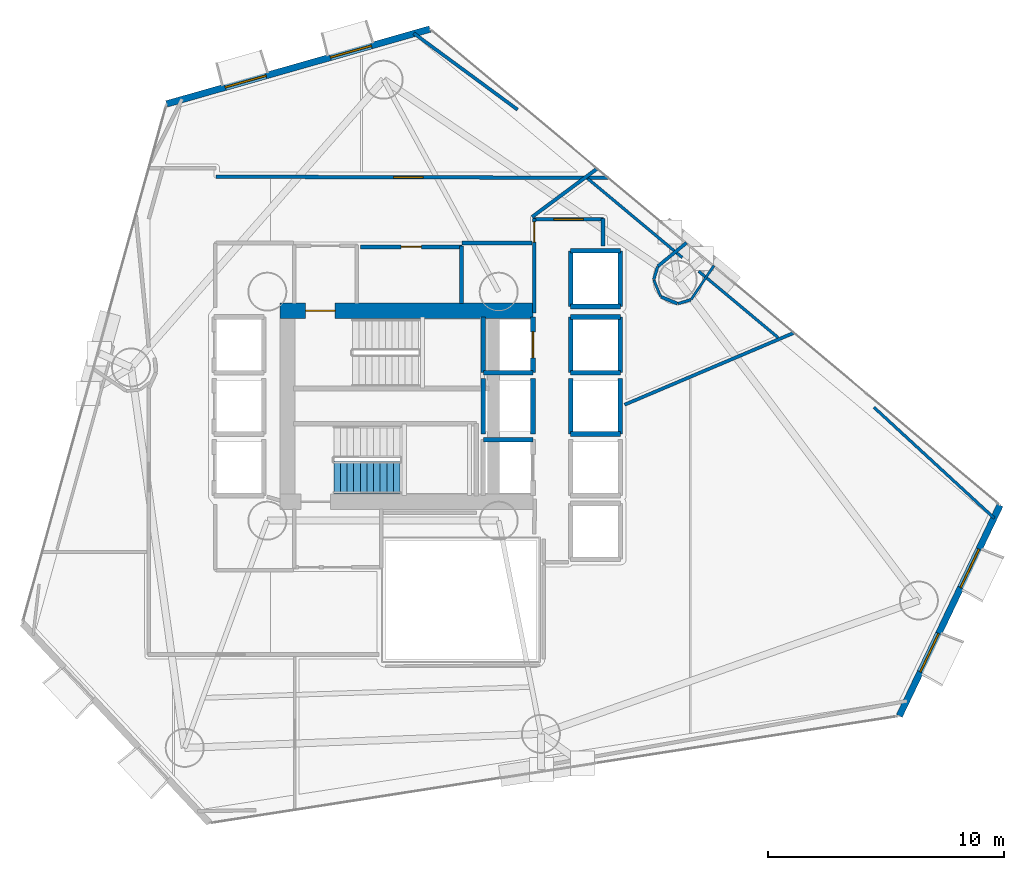
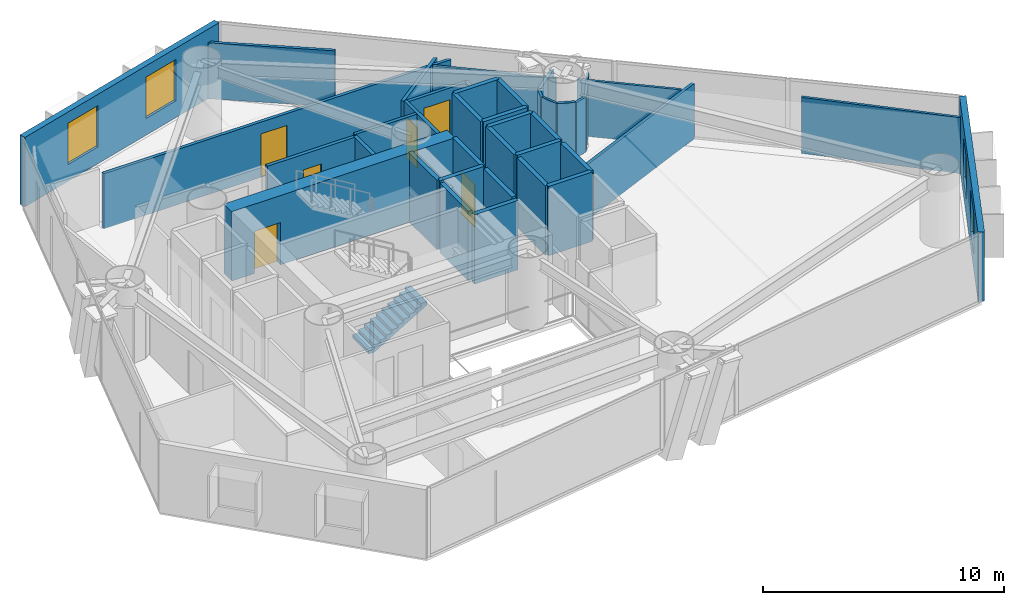
# One storey, part 18 of 23: 39 walls, 6 doors, 4 windows, 1 stair flight, 10 openings, 1 element without a shape of its own.
"""IFC4 building model written with IfcOpenShell, lengths in metres."""

from ifc_helpers import new_model, si_unit, direction, frame, frame_2d, origin, place, context, subcontext, project, spatial, polyline, rectangle, outline, extrude, material, layer, layer_set, type_object, element, fill, aggregate, save


model = new_model("IFC4")

# Units and contexts
model_context = context("Model", 3, precision=1e-05, world=origin(), true_north=direction((0.0, 1.0)))
body_context = subcontext(model_context, "Body", "Model", "MODEL_VIEW")
ifc_project = project(units=[si_unit("LENGTHUNIT", "METRE"), si_unit("AREAUNIT", "SQUARE_METRE"), si_unit("VOLUMEUNIT", "CUBIC_METRE"), si_unit("PLANEANGLEUNIT", "RADIAN"), si_unit("MASSUNIT", "GRAM", prefix="KILO")], contexts=[model_context])

# Site, building, storey
site_placement = place(None, origin())
site = spatial("IfcSite", under=ifc_project, at=site_placement, CompositionType="ELEMENT")
building_placement = place(site_placement, origin())
building = spatial("IfcBuilding", under=site, at=building_placement, Name="Qianvela Tower", CompositionType="ELEMENT")
storey_placement = place(building_placement, frame((0.0, 0.0, 78.39990234375)))
storey = spatial("IfcBuildingStorey", under=building, at=storey_placement, Name="L19", CompositionType="ELEMENT", Elevation=78.39990234375)

# Wall, openings, windows
ifc_material_1 = material(Name="Terracotta Cladding on Concrete C40", Category="masonry")
ifc_layer_1 = layer(ifc_material_1, 0.280029296875)
ifc_layer_set_1 = layer_set([ifc_layer_1], Name="Terracotta Cladding on Concrete C40")
wall_type_1 = type_object("IfcWallType", Name="TERRACOTTA-WALL-280", PredefinedType="SOLIDWALL", material=ifc_layer_set_1)
wall_1_placement = place(storey_placement, frame((55.369873046875, 15.578857421875, 0.0), z_axis=(0.0, 0.0, 1.0), x_axis=(0.431207438462, 0.902252816574, 0.0)))
wall_1 = element("IfcWall", 1, at=wall_1_placement, inside=storey, type_object=wall_type_1, Name="L19 Terracotta Chamfer Facet Wall 1", PredefinedType="SOLIDWALL", context=body_context, shape_type="SweptSolid", body=[
    extrude(rectangle(XDim=9.89111328125, YDim=0.280029296875, at=frame_2d((4.945556640625, 0.0))), origin(), (0.0, 0.0, 1.0), 3.52001953125),
])
opening_1_placement = place(wall_1_placement, frame((2.0673828125, 0.0, 0.85009765625)))
opening_1 = element("IfcOpeningElement", 2, at=opening_1_placement, cuts=wall_1, Name="Opening W-01", PredefinedType="OPENING", context=body_context, shape_type="SweptSolid", body=[
    extrude(rectangle(XDim=1.800048828125, YDim=2.10009765625, at=frame_2d((0.89990234375, 1.050048828125))), frame((0.0, 0.14990234375, 0.0), z_axis=(0.0, -1.0, 0.0), x_axis=(1.0, 0.0, 0.0)), (0.0, 0.0, 1.0), 0.300048828125),
])
opening_2_placement = place(wall_1_placement, frame((6.023681640625, 0.0, 0.85009765625)))
opening_2 = element("IfcOpeningElement", 3, at=opening_2_placement, cuts=wall_1, Name="Opening W-01", PredefinedType="OPENING", context=body_context, shape_type="SweptSolid", body=[
    extrude(rectangle(XDim=1.800048828125, YDim=2.10009765625, at=frame_2d((0.89990234375, 1.050048828125))), frame((0.0, 0.14990234375, 0.0), z_axis=(0.0, -1.0, 0.0), x_axis=(1.0, 0.0, 0.0)), (0.0, 0.0, 1.0), 0.300048828125),
])
ifc_material_2 = material(Name="Thermally Broken Aluminium and Low-E Glass", Category="aluminium")
window_type = type_object("IfcWindowType", Name="WIN-TC-1800x2100", PartitioningType="DOUBLE_PANEL_VERTICAL", PredefinedType="WINDOW", material=ifc_material_2)
window_1_placement = place(opening_1_placement, origin())
window_1 = element("IfcWindow", 4, at=window_1_placement, inside=storey, type_object=window_type, Name="L19 Chamfer Facet Window 1.1", OverallHeight=2.10009765625, OverallWidth=1.800048828125, PartitioningType="SINGLE_PANEL", PredefinedType="WINDOW", context=body_context, shape_type="SweptSolid", body=[
    extrude(rectangle(XDim=1.800048828125, YDim=2.10009765625, at=frame_2d((0.89990234375, 1.050048828125))), frame((0.0, 0.030029296875, 0.0), z_axis=(0.0, -1.0, 0.0), x_axis=(1.0, 0.0, 0.0)), (0.0, 0.0, 1.0), 0.06005859375),
])
fill(opening_1, window_1)
window_2_placement = place(opening_2_placement, origin())
window_2 = element("IfcWindow", 5, at=window_2_placement, inside=storey, type_object=window_type, Name="L19 Chamfer Facet Window 1.2", OverallHeight=2.10009765625, OverallWidth=1.800048828125, PartitioningType="SINGLE_PANEL", PredefinedType="WINDOW", context=body_context, shape_type="SweptSolid", body=[
    extrude(rectangle(XDim=1.800048828125, YDim=2.10009765625, at=frame_2d((0.89990234375, 1.050048828125))), frame((0.0, 0.030029296875, 0.0), z_axis=(0.0, -1.0, 0.0), x_axis=(1.0, 0.0, 0.0)), (0.0, 0.0, 1.0), 0.06005859375),
])
fill(opening_2, window_2)

wall_2_placement = place(storey_placement, frame((35.48828125, 44.673583984375, 0.0), z_axis=(0.0, 0.0, 1.0), x_axis=(-0.961902016128, -0.273394424538, 0.0)))
wall_2 = element("IfcWall", 6, at=wall_2_placement, inside=storey, type_object=wall_type_1, Name="L19 Terracotta Chamfer Facet Wall 3", PredefinedType="SOLIDWALL", context=body_context, shape_type="SweptSolid", body=[
    extrude(rectangle(XDim=11.595458984375, YDim=0.280029296875, at=frame_2d((5.7978515625, 0.0))), origin(), (0.0, 0.0, 1.0), 3.52001953125),
])
opening_3_placement = place(wall_2_placement, frame((2.57861328125, 0.0, 0.85009765625)))
opening_3 = element("IfcOpeningElement", 7, at=opening_3_placement, cuts=wall_2, Name="Opening W-01", PredefinedType="OPENING", context=body_context, shape_type="SweptSolid", body=[
    extrude(rectangle(XDim=1.800048828125, YDim=2.10009765625, at=frame_2d((0.89990234375, 1.050048828125))), frame((0.0, 0.14990234375, 0.0), z_axis=(0.0, -1.0, 0.0), x_axis=(1.0, 0.0, 0.0)), (0.0, 0.0, 1.0), 0.300048828125),
])
opening_4_placement = place(wall_2_placement, frame((7.216796875, 0.0, 0.85009765625)))
opening_4 = element("IfcOpeningElement", 8, at=opening_4_placement, cuts=wall_2, Name="Opening W-01", PredefinedType="OPENING", context=body_context, shape_type="SweptSolid", body=[
    extrude(rectangle(XDim=1.800048828125, YDim=2.10009765625, at=frame_2d((0.89990234375, 1.050048828125))), frame((0.0, 0.14990234375, 0.0), z_axis=(0.0, -1.0, 0.0), x_axis=(1.0, 0.0, 0.0)), (0.0, 0.0, 1.0), 0.300048828125),
])
window_3_placement = place(opening_3_placement, origin())
window_3 = element("IfcWindow", 9, at=window_3_placement, inside=storey, type_object=window_type, Name="L19 Chamfer Facet Window 3.1", OverallHeight=2.10009765625, OverallWidth=1.800048828125, PartitioningType="SINGLE_PANEL", PredefinedType="WINDOW", context=body_context, shape_type="SweptSolid", body=[
    extrude(rectangle(XDim=1.800048828125, YDim=2.10009765625, at=frame_2d((0.89990234375, 1.050048828125))), frame((0.0, 0.030029296875, 0.0), z_axis=(0.0, -1.0, 0.0), x_axis=(1.0, 0.0, 0.0)), (0.0, 0.0, 1.0), 0.06005859375),
])
fill(opening_3, window_3)
window_4_placement = place(opening_4_placement, origin())
window_4 = element("IfcWindow", 10, at=window_4_placement, inside=storey, type_object=window_type, Name="L19 Chamfer Facet Window 3.2", OverallHeight=2.10009765625, OverallWidth=1.800048828125, PartitioningType="SINGLE_PANEL", PredefinedType="WINDOW", context=body_context, shape_type="SweptSolid", body=[
    extrude(rectangle(XDim=1.800048828125, YDim=2.10009765625, at=frame_2d((0.89990234375, 1.050048828125))), frame((0.0, 0.030029296875, 0.0), z_axis=(0.0, -1.0, 0.0), x_axis=(1.0, 0.0, 0.0)), (0.0, 0.0, 1.0), 0.06005859375),
])
fill(opening_4, window_4)

# Wall, opening, door
ifc_material_3 = material(Name="Concrete C60", Category="concrete")
ifc_layer_2 = layer(ifc_material_3, 0.64990234375)
ifc_layer_set_2 = layer_set([ifc_layer_2], Name="Concrete C60")
wall_type_2 = type_object("IfcWallType", Name="WT-CORE-650", PredefinedType="SHEAR", material=ifc_layer_set_2)
wall_3_placement = place(storey_placement, frame((29.1298828125, 32.7451171875, 0.0), z_axis=(0.0, 0.0, 1.0), x_axis=(1.0, 0.0, 0.0)))
wall_3 = element("IfcWall", 11, at=wall_3_placement, inside=storey, type_object=wall_type_2, Name="L19 North Core Shear Wall", PredefinedType="SHEAR", context=body_context, shape_type="SweptSolid", body=[
    extrude(rectangle(XDim=10.72021484375, YDim=0.64990234375, at=frame_2d((5.360107421875, 0.0))), origin(), (0.0, 0.0, 1.0), 3.52001953125),
])
opening_5_placement = place(wall_3_placement, frame((1.094970703125, 0.0, 0.0)))
opening_5 = element("IfcOpeningElement", 12, at=opening_5_placement, cuts=wall_3, Name="Opening D-ST1", PredefinedType="OPENING", context=body_context, shape_type="SweptSolid", body=[
    extrude(rectangle(XDim=1.25, YDim=2.14990234375, at=frame_2d((0.625, 1.074951171875))), frame((0.0, 0.3349609375, 0.0), z_axis=(0.0, -1.0, 0.0), x_axis=(1.0, 0.0, 0.0)), (0.0, 0.0, 1.0), 0.669921875),
])
ifc_material_4 = material(Name="Galvanised Fire Steel Q355B", Category="steel")
door_type_1 = type_object("IfcDoorType", Name="DT-STAIR-FD90", OperationType="NOTDEFINED", PredefinedType="DOOR", material=ifc_material_4)
door_1_placement = place(opening_5_placement, origin())
door_1 = element("IfcDoor", 13, at=door_1_placement, inside=storey, type_object=door_type_1, Name="L19 Stair ST-1 Exit Door", OperationType="SINGLE_SWING_RIGHT", OverallHeight=2.14990234375, OverallWidth=1.25, PredefinedType="DOOR", context=body_context, shape_type="SweptSolid", body=[
    extrude(rectangle(XDim=1.25, YDim=2.14990234375, at=frame_2d((0.625, 1.074951171875))), frame((0.0, 0.02490234375, 0.0), z_axis=(0.0, -1.0, 0.0), x_axis=(1.0, 0.0, 0.0)), (0.0, 0.0, 1.0), 0.050048828125),
])
fill(opening_5, door_1)

ifc_material_5 = material(Name="Fire-Rated Acoustic Gypsum Board")
ifc_layer_3 = layer(ifc_material_5, 0.14990234375)
ifc_layer_set_3 = layer_set([ifc_layer_3], Name="Fire-Rated Acoustic Gypsum Board")
wall_type_3 = type_object("IfcWallType", Name="WT-CORR-150", PredefinedType="PARTITIONING", material=ifc_layer_set_3)
wall_4_placement = place(storey_placement, frame((39.910888671875, 32.639892578125, 0.0), z_axis=(0.0, 0.0, 1.0), x_axis=(0.0, 1.0, 0.0)))
wall_4 = element("IfcWall", 14, at=wall_4_placement, inside=storey, type_object=wall_type_3, Name="L19 Partition 10", PredefinedType="PARTITIONING", context=body_context, shape_type="SweptSolid", body=[
    extrude(rectangle(XDim=4.010009765625, YDim=0.14990234375, at=frame_2d((2.0048828125, 0.0))), origin(), (0.0, 0.0, 1.0), 2.840087890625),
])
opening_6_placement = place(wall_4_placement, frame((3.010009765625, 0.0, 0.0)))
opening_6 = element("IfcOpeningElement", 15, at=opening_6_placement, cuts=wall_4, Name="Opening D-LB2", PredefinedType="OPENING", context=body_context, shape_type="SweptSolid", body=[
    extrude(rectangle(XDim=0.860107421875, YDim=2.050048828125, at=frame_2d((0.43017578125, 1.02490234375))), frame((0.0, 0.0849609375, 0.0), z_axis=(0.0, -1.0, 0.0), x_axis=(1.0, 0.0, 0.0)), (0.0, 0.0, 1.0), 0.169921875),
])
ifc_material_6 = material(Name="Insulated Steel Fire Door Q355B", Category="steel")
door_type_2 = type_object("IfcDoorType", Name="DT-LOBBY-FD90-860", OperationType="NOTDEFINED", PredefinedType="DOOR", material=ifc_material_6)
door_2_placement = place(opening_6_placement, origin())
door_2 = element("IfcDoor", 16, at=door_2_placement, inside=storey, type_object=door_type_2, Name="L19 Door L19 Lift Lobby to L19 Floor Corridor", OperationType="SINGLE_SWING_LEFT", OverallHeight=2.050048828125, OverallWidth=0.860107421875, PredefinedType="DOOR", context=body_context, shape_type="SweptSolid", body=[
    extrude(rectangle(XDim=0.860107421875, YDim=2.050048828125, at=frame_2d((0.43017578125, 1.02490234375))), frame((0.0, 0.02490234375, 0.0), z_axis=(0.0, -1.0, 0.0), x_axis=(1.0, 0.0, 0.0)), (0.0, 0.0, 1.0), 0.050048828125),
])
fill(opening_6, door_2)

wall_5_placement = place(storey_placement, frame((39.8798828125, 36.618896484375, 0.0), z_axis=(0.0, 0.0, 1.0), x_axis=(1.0, 0.0, 0.0)))
wall_5 = element("IfcWall", 17, at=wall_5_placement, inside=storey, type_object=wall_type_3, Name="L19 Partition 11", PredefinedType="PARTITIONING", context=body_context, shape_type="SweptSolid", body=[
    extrude(rectangle(XDim=2.97021484375, YDim=0.14990234375, at=frame_2d((1.485107421875, 0.0))), origin(), (0.0, 0.0, 1.0), 2.798095703125),
])
opening_7_placement = place(wall_5_placement, frame((0.860107421875, 0.0, 0.0)))
opening_7 = element("IfcOpeningElement", 18, at=opening_7_placement, cuts=wall_5, Name="Opening D-LG1", PredefinedType="OPENING", context=body_context, shape_type="SweptSolid", body=[
    extrude(rectangle(XDim=1.25, YDim=2.199951171875, at=frame_2d((0.625, 1.10009765625))), frame((0.0, 0.0849609375, 0.0), z_axis=(0.0, -1.0, 0.0), x_axis=(1.0, 0.0, 0.0)), (0.0, 0.0, 1.0), 0.169921875),
])
ifc_material_7 = material(Name="Anodised Aluminium Acoustic Glass Door", Category="aluminium")
door_type_3 = type_object("IfcDoorType", Name="DT-LOUNGE-1250", OperationType="NOTDEFINED", PredefinedType="DOOR", material=ifc_material_7)
door_3_placement = place(opening_7_placement, origin())
door_3 = element("IfcDoor", 19, at=door_3_placement, inside=storey, type_object=door_type_3, Name="L19 Door Graduate Seminar Classroom L19-03 to L19 Lift Lobby", OperationType="SINGLE_SWING_RIGHT", OverallHeight=2.199951171875, OverallWidth=1.25, PredefinedType="DOOR", context=body_context, shape_type="SweptSolid", body=[
    extrude(rectangle(XDim=1.25, YDim=2.199951171875, at=frame_2d((0.625, 1.10009765625))), frame((0.0, 0.02490234375, 0.0), z_axis=(0.0, -1.0, 0.0), x_axis=(1.0, 0.0, 0.0)), (0.0, 0.0, 1.0), 0.050048828125),
])
fill(opening_7, door_3)

# Wall
wall_6_placement = place(storey_placement, frame((42.819091796875, 36.64990234375, 0.0), z_axis=(0.0, 0.0, 1.0), x_axis=(0.0, -1.0, 0.0)))
element("IfcWall", 20, at=wall_6_placement, inside=storey, type_object=wall_type_3, Name="L19 Partition 12", PredefinedType="PARTITIONING", context=body_context, shape_type="SweptSolid", body=[
    extrude(rectangle(XDim=1.169921875, YDim=0.14990234375, at=frame_2d((0.5849609375, 0.0))), origin(), (0.0, 0.0, 1.0), 2.798095703125),
])

# Wall, opening, door
wall_7_placement = place(storey_placement, frame((26.419921875, 38.4189453125, 0.0), z_axis=(0.0, 0.0, 1.0), x_axis=(0.999995903761, -0.002862247552, 0.0)))
wall_7 = element("IfcWall", 21, at=wall_7_placement, inside=storey, type_object=wall_type_3, Name="L19 Partition 38", PredefinedType="PARTITIONING", context=body_context, shape_type="SweptSolid", body=[
    extrude(rectangle(XDim=16.6328125, YDim=0.14990234375, at=frame_2d((8.31640625, 0.0))), origin(), (0.0, 0.0, 1.0), 2.798095703125),
])
opening_8_placement = place(wall_7_placement, frame((7.52783203125, 0.0, 0.0)))
opening_8 = element("IfcOpeningElement", 22, at=opening_8_placement, cuts=wall_7, Name="Opening D-LG1", PredefinedType="OPENING", context=body_context, shape_type="SweptSolid", body=[
    extrude(rectangle(XDim=1.25, YDim=2.199951171875, at=frame_2d((0.625, 1.10009765625))), frame((0.0, 0.0849609375, 0.0), z_axis=(0.0, -1.0, 0.0), x_axis=(1.0, 0.0, 0.0)), (0.0, 0.0, 1.0), 0.169921875),
])
door_4_placement = place(opening_8_placement, origin())
door_4 = element("IfcDoor", 23, at=door_4_placement, inside=storey, type_object=door_type_3, Name="L19 Door Maker Craft Workshop L19-05 to L19 Floor Corridor", OperationType="SINGLE_SWING_RIGHT", OverallHeight=2.199951171875, OverallWidth=1.25, PredefinedType="DOOR", context=body_context, shape_type="SweptSolid", body=[
    extrude(rectangle(XDim=1.25, YDim=2.199951171875, at=frame_2d((0.625, 1.10009765625))), frame((0.0, 0.02490234375, 0.0), z_axis=(0.0, -1.0, 0.0), x_axis=(1.0, 0.0, 0.0)), (0.0, 0.0, 1.0), 0.050048828125),
])
fill(opening_8, door_4)

# Walls
wall_8_placement = place(storey_placement, frame((42.583984375, 38.771484375, 0.0), z_axis=(0.0, 0.0, 1.0), x_axis=(-0.802818352311, -0.596223693921, 0.0)))
element("IfcWall", 24, at=wall_8_placement, inside=storey, type_object=wall_type_3, Name="L19 Partition 39", PredefinedType="PARTITIONING", context=body_context, shape_type="SweptSolid", body=[
    extrude(rectangle(XDim=3.45068359375, YDim=0.14990234375, at=frame_2d((1.725341796875, 0.0))), origin(), (0.0, 0.0, 1.0), 2.798095703125),
])
wall_9_placement = place(storey_placement, frame((39.818115234375, 35.611083984375, 0.0), z_axis=(0.0, 0.0, 1.0), x_axis=(-1.0, 0.0, 0.0)))
element("IfcWall", 25, at=wall_9_placement, inside=storey, type_object=wall_type_3, Name="L19 Partition 41 seg 1", PredefinedType="PARTITIONING", context=body_context, shape_type="SweptSolid", body=[
    extrude(rectangle(XDim=2.968017578125, YDim=0.14990234375, at=frame_2d((1.48388671875, 0.0))), origin(), (0.0, 0.0, 1.0), 2.840087890625),
])
ifc_material_8 = material(Name="Lightweight Gypsum Room Partition")
ifc_layer_4 = layer(ifc_material_8, 0.10498046875)
ifc_layer_set_4 = layer_set([ifc_layer_4], Name="Lightweight Gypsum Room Partition")
wall_type_4 = type_object("IfcWallType", Name="WT-PART-105", PredefinedType="PARTITIONING", material=ifc_layer_set_4)
wall_10_placement = place(storey_placement, frame((44.970458984375, 34.045166015625, 0.0), z_axis=(0.0, 0.0, 1.0), x_axis=(0.382475742879, -0.923965532966, 0.0)))
element("IfcWall", 26, at=wall_10_placement, inside=storey, type_object=wall_type_4, Name="L19 Partition 78", PredefinedType="PARTITIONING", context=body_context, shape_type="SweptSolid", body=[
    extrude(rectangle(XDim=0.75390625, YDim=0.10498046875, at=frame_2d((0.376953125, 0.0))), origin(), (0.0, 0.0, 1.0), 2.840087890625),
])
wall_11_placement = place(storey_placement, frame((46.556884765625, 33.220703125, 0.0), z_axis=(0.0, 0.0, 1.0), x_axis=(0.555549804561, 0.831483261799, 0.0)))
element("IfcWall", 27, at=wall_11_placement, inside=storey, type_object=wall_type_4, Name="L19 Partition 81", PredefinedType="PARTITIONING", context=body_context, shape_type="SweptSolid", body=[
    extrude(rectangle(XDim=1.7236328125, YDim=0.10498046875, at=frame_2d((0.86181640625, 0.0))), origin(), (0.0, 0.0, 1.0), 2.798095703125),
])
ifc_material_9 = material(Name="Insulated Gypsum Stud Partition")
ifc_layer_5 = layer(ifc_material_9, 0.1201171875)
ifc_layer_set_5 = layer_set([ifc_layer_5], Name="Insulated Gypsum Stud Partition")
wall_type_5 = type_object("IfcWallType", Name="WT-PART-120", PredefinedType="PARTITIONING", material=ifc_layer_set_5)
wall_12_placement = place(storey_placement, frame((54.296875, 28.6494140625, 0.0), z_axis=(0.0, 0.0, 1.0), x_axis=(0.735489202495, -0.677536444048, 0.0)))
element("IfcWall", 28, at=wall_12_placement, inside=storey, type_object=wall_type_5, Name="L19 Partition 65 seg 1", PredefinedType="PARTITIONING", context=body_context, shape_type="SweptSolid", body=[
    extrude(rectangle(XDim=6.929931640625, YDim=0.1201171875, at=frame_2d((3.46484375, 0.0))), origin(), (0.0, 0.0, 1.0), 2.840087890625),
])
wall_13_placement = place(storey_placement, frame((42.183837890625, 38.330078125, 0.0), z_axis=(0.0, 0.0, 1.0), x_axis=(0.767463569337, -0.641092559417, 0.0)))
element("IfcWall", 29, at=wall_13_placement, inside=storey, type_object=wall_type_5, Name="L19 Partition 74", PredefinedType="PARTITIONING", context=body_context, shape_type="SweptSolid", body=[
    extrude(rectangle(XDim=5.20654296875, YDim=0.1201171875, at=frame_2d((2.603271484375, 0.0))), origin(), (0.0, 0.0, 1.0), 2.798095703125),
])
for number, where, z_axis, x_axis, name in (
    (30, (45.13525390625, 34.61328125, 0.0), (0.0, 0.0, 1.0), (-0.290244314669, -0.956952578659, 0.0), "L19 Partition 77"),
    (31, (45.992919921875, 33.042236328125, 0.0), (0.0, 0.0, 1.0), (0.956952578659, 0.290244314669, 0.0), "L19 Partition 80"),
):
    element("IfcWall", number, at=place(storey_placement, frame(where, z_axis=z_axis, x_axis=x_axis)), inside=storey, type_object=wall_type_5, Name=name, PredefinedType="PARTITIONING", context=body_context, shape_type="SweptSolid", body=[
        extrude(rectangle(XDim=0.572021484375, YDim=0.1201171875, at=frame_2d((0.2861328125, 0.0))), origin(), (0.0, 0.0, 1.0), 2.798095703125),
    ])
wall_14_placement = place(storey_placement, frame((46.872314453125, 34.41357421875, 0.0), z_axis=(0.0, 0.0, 1.0), x_axis=(0.767480346399, -0.641072474757, 0.0)))
element("IfcWall", 32, at=wall_14_placement, inside=storey, type_object=wall_type_5, Name="L19 Partition 83", PredefinedType="PARTITIONING", context=body_context, shape_type="SweptSolid", body=[
    extrude(rectangle(XDim=4.37841796875, YDim=0.1201171875, at=frame_2d((2.189208984375, 0.0))), origin(), (0.0, 0.0, 1.0), 2.840087890625),
])

# Wall, opening, door
ifc_material_10 = material(Name="Sanitary Service Chase Partition")
ifc_layer_6 = layer(ifc_material_10, 0.1650390625)
ifc_layer_set_6 = layer_set([ifc_layer_6], Name="Sanitary Service Chase Partition")
wall_type_6 = type_object("IfcWallType", Name="WT-PLUMB-165", PredefinedType="PLUMBINGWALL", material=ifc_layer_set_6)
wall_15_placement = place(storey_placement, frame((32.550048828125, 35.448974609375, 0.0), z_axis=(0.0, 0.0, 1.0), x_axis=(1.0, 0.0, 0.0)))
wall_15 = element("IfcWall", 33, at=wall_15_placement, inside=storey, type_object=wall_type_6, Name="L19 Partition 20", PredefinedType="PLUMBINGWALL", context=body_context, shape_type="SweptSolid", body=[
    extrude(rectangle(XDim=4.300048828125, YDim=0.1650390625, at=frame_2d((2.14990234375, 0.0))), origin(), (0.0, 0.0, 1.0), 2.840087890625),
])
opening_9_placement = place(wall_15_placement, frame((1.719970703125, 0.0, 0.0)))
opening_9 = element("IfcOpeningElement", 34, at=opening_9_placement, cuts=wall_15, Name="Opening D-WC1", PredefinedType="OPENING", context=body_context, shape_type="SweptSolid", body=[
    extrude(rectangle(XDim=0.860107421875, YDim=2.050048828125, at=frame_2d((0.43017578125, 1.02490234375))), frame((0.0, 0.092529296875, 0.0), z_axis=(0.0, -1.0, 0.0), x_axis=(1.0, 0.0, 0.0)), (0.0, 0.0, 1.0), 0.18505859375),
])
ifc_material_11 = material(Name="Moisture-Sealed Acoustic Timber Door", Category="wood")
door_type_4 = type_object("IfcDoorType", Name="DT-WC-860", OperationType="NOTDEFINED", PredefinedType="DOOR", material=ifc_material_11)
door_5_placement = place(opening_9_placement, origin())
door_5 = element("IfcDoor", 35, at=door_5_placement, inside=storey, type_object=door_type_4, Name="L19 Door L19 Accessible WC to L19 Floor Corridor", OperationType="SINGLE_SWING_RIGHT", OverallHeight=2.050048828125, OverallWidth=0.860107421875, PredefinedType="DOOR", context=body_context, shape_type="SweptSolid", body=[
    extrude(rectangle(XDim=0.860107421875, YDim=2.050048828125, at=frame_2d((0.43017578125, 1.02490234375))), frame((0.0, 0.02490234375, 0.0), z_axis=(0.0, -1.0, 0.0), x_axis=(1.0, 0.0, 0.0)), (0.0, 0.0, 1.0), 0.050048828125),
])
fill(opening_9, door_5)

# Walls
wall_16_placement = place(storey_placement, frame((36.819091796875, 35.47998046875, 0.0), z_axis=(0.0, 0.0, 1.0), x_axis=(0.0, -1.0, 0.0)))
element("IfcWall", 36, at=wall_16_placement, inside=storey, type_object=wall_type_6, Name="L19 Partition 21", PredefinedType="PLUMBINGWALL", context=body_context, shape_type="SweptSolid", body=[
    extrude(rectangle(XDim=2.421875, YDim=0.1650390625, at=frame_2d((1.2109375, 0.0))), origin(), (0.0, 0.0, 1.0), 2.840087890625),
])
ifc_material_12 = material(Name="Acoustic Double Gypsum Stud Partition")
ifc_layer_7 = layer(ifc_material_12, 0.139892578125)
ifc_layer_set_7 = layer_set([ifc_layer_7], Name="Acoustic Double Gypsum Stud Partition")
wall_type_7 = type_object("IfcWallType", Name="WT-ROOM-140", PredefinedType="PARTITIONING", material=ifc_layer_set_7)
wall_17_placement = place(storey_placement, frame((43.732177734375, 28.76171875, 0.0), z_axis=(0.0, 0.0, 1.0), x_axis=(0.920505405919, 0.390729826958, 0.0)))
element("IfcWall", 37, at=wall_17_placement, inside=storey, type_object=wall_type_7, Name="L19 Partition 64", PredefinedType="PARTITIONING", context=body_context, shape_type="SweptSolid", body=[
    extrude(rectangle(XDim=7.802978515625, YDim=0.139892578125, at=frame_2d((3.9013671875, 0.0))), origin(), (0.0, 0.0, 1.0), 2.798095703125),
])
wall_18_placement = place(storey_placement, frame((46.355712890625, 35.621337890625, 0.0), z_axis=(0.0, 0.0, 1.0), x_axis=(-0.773081212675, -0.634307053885, 0.0)))
element("IfcWall", 38, at=wall_18_placement, inside=storey, type_object=wall_type_7, Name="L19 Partition 76", PredefinedType="PARTITIONING", context=body_context, shape_type="SweptSolid", body=[
    extrude(rectangle(XDim=1.565673828125, YDim=0.139892578125, at=frame_2d((0.78271484375, 0.0))), origin(), (0.0, 0.0, 1.0), 2.798095703125),
])
wall_19_placement = place(storey_placement, frame((45.275634765625, 33.331787109375, 0.0), z_axis=(0.0, 0.0, 1.0), x_axis=(0.923965532966, -0.382475742879, 0.0)))
element("IfcWall", 39, at=wall_19_placement, inside=storey, type_object=wall_type_7, Name="L19 Partition 79", PredefinedType="PARTITIONING", context=body_context, shape_type="SweptSolid", body=[
    extrude(rectangle(XDim=0.75390625, YDim=0.139892578125, at=frame_2d((0.376953125, 0.0))), origin(), (0.0, 0.0, 1.0), 2.840087890625),
])
wall_20_placement = place(storey_placement, frame((34.802490234375, 44.495849609375, 0.0), z_axis=(0.0, 0.0, 1.0), x_axis=(0.805455763376, -0.59265589784, 0.0)))
element("IfcWall", 40, at=wall_20_placement, inside=storey, type_object=wall_type_7, Name="L19 Partition 97 seg 1", PredefinedType="PARTITIONING", context=body_context, shape_type="SweptSolid", body=[
    extrude(rectangle(XDim=5.4599609375, YDim=0.139892578125, at=frame_2d((2.72998046875, 0.0))), origin(), (0.0, 0.0, 1.0), 2.840087890625),
])

# Wall, opening, door
ifc_material_13 = material(Name="Concrete C50", Category="concrete")
ifc_layer_8 = layer(ifc_material_13, 0.199951171875)
ifc_layer_set_8 = layer_set([ifc_layer_8], Name="Concrete C50")
wall_type_8 = type_object("IfcWallType", Name="WT-SHAFT-200", PredefinedType="SOLIDWALL", material=ifc_layer_set_8)
wall_21_placement = place(storey_placement, frame((39.85009765625, 30.1201171875, 0.0), z_axis=(0.0, 0.0, 1.0), x_axis=(0.0, 1.0, 0.0)))
wall_21 = element("IfcWall", 41, at=wall_21_placement, inside=storey, type_object=wall_type_8, Name="L19 Lift FL-1 E Shaft Wall", PredefinedType="SOLIDWALL", context=body_context, shape_type="SweptSolid", body=[
    extrude(rectangle(XDim=2.35986328125, YDim=0.199951171875, at=frame_2d((1.179931640625, 0.0))), origin(), (0.0, 0.0, 1.0), 3.52001953125),
])
opening_10_placement = place(wall_21_placement, frame((0.6298828125, 0.0, 0.0)))
opening_10 = element("IfcOpeningElement", 42, at=opening_10_placement, cuts=wall_21, Name="Opening LD-01", PredefinedType="OPENING", context=body_context, shape_type="SweptSolid", body=[
    extrude(rectangle(XDim=1.10009765625, YDim=2.14990234375, at=frame_2d((0.550048828125, 1.074951171875))), frame((0.0, 0.10986328125, 0.0), z_axis=(0.0, -1.0, 0.0), x_axis=(1.0, 0.0, 0.0)), (0.0, 0.0, 1.0), 0.219970703125),
])
ifc_material_14 = material(Name="Brushed Stainless Steel Lift Landing Door", Category="steel")
door_type_5 = type_object("IfcDoorType", Name="DT-LIFT-SLIDE-1100", OperationType="SLIDING_TO_LEFT", PredefinedType="DOOR", material=ifc_material_14)
door_6_placement = place(opening_10_placement, origin())
door_6 = element("IfcDoor", 43, at=door_6_placement, inside=storey, type_object=door_type_5, Name="L19 Lift FL-1 Sliding Landing Door", OperationType="SLIDING_TO_LEFT", OverallHeight=2.14990234375, OverallWidth=1.10009765625, PredefinedType="DOOR", context=body_context, shape_type="SweptSolid", body=[
    extrude(rectangle(XDim=1.10009765625, YDim=2.14990234375, at=frame_2d((0.550048828125, 1.074951171875))), frame((0.0, 0.02490234375, 0.0), z_axis=(0.0, -1.0, 0.0), x_axis=(1.0, 0.0, 0.0)), (0.0, 0.0, 1.0), 0.050048828125),
])
fill(opening_10, door_6)

# Walls
wall_22_placement = place(storey_placement, frame((37.75, 30.1201171875, 0.0), z_axis=(0.0, 0.0, 1.0), x_axis=(0.0, 1.0, 0.0)))
element("IfcWall", 44, at=wall_22_placement, inside=storey, type_object=wall_type_8, Name="L19 Lift FL-1 W Shaft Wall", PredefinedType="SOLIDWALL", context=body_context, shape_type="SweptSolid", body=[
    extrude(rectangle(XDim=2.35986328125, YDim=0.199951171875, at=frame_2d((1.179931640625, 0.0))), origin(), (0.0, 0.0, 1.0), 3.52001953125),
])
for number, where, z_axis, x_axis, name in (
    (45, (37.75, 30.1201171875, 0.0), (0.0, 0.0, 1.0), (1.0, 0.0, 0.0), "L19 Lift FL-1 S Shaft Wall"),
    (46, (37.75, 27.280029296875, 0.0), (0.0, 0.0, 1.0), (1.0, 0.0, 0.0), "L19 Lift FL-2 N Shaft Wall"),
):
    element("IfcWall", number, at=place(storey_placement, frame(where, z_axis=z_axis, x_axis=x_axis)), inside=storey, type_object=wall_type_8, Name=name, PredefinedType="SOLIDWALL", context=body_context, shape_type="SweptSolid", body=[
        extrude(rectangle(XDim=2.10009765625, YDim=0.199951171875, at=frame_2d((1.050048828125, 0.0))), origin(), (0.0, 0.0, 1.0), 3.52001953125),
    ])
for number, where, z_axis, x_axis, name in (
    (47, (43.550048828125, 30.1201171875, 0.0), (0.0, 0.0, 1.0), (0.0, 1.0, 0.0), "L19 Lift PL-M1 E Shaft Wall"),
    (48, (41.449951171875, 30.1201171875, 0.0), (0.0, 0.0, 1.0), (0.0, 1.0, 0.0), "L19 Lift PL-M1 W Shaft Wall"),
):
    element("IfcWall", number, at=place(storey_placement, frame(where, z_axis=z_axis, x_axis=x_axis)), inside=storey, type_object=wall_type_8, Name=name, PredefinedType="SOLIDWALL", context=body_context, shape_type="SweptSolid", body=[
        extrude(rectangle(XDim=2.35986328125, YDim=0.199951171875, at=frame_2d((1.179931640625, 0.0))), origin(), (0.0, 0.0, 1.0), 3.52001953125),
    ])
for number, where, z_axis, x_axis, name in (
    (49, (41.449951171875, 32.47998046875, 0.0), (0.0, 0.0, 1.0), (1.0, 0.0, 0.0), "L19 Lift PL-M1 N Shaft Wall"),
    (50, (41.449951171875, 30.1201171875, 0.0), (0.0, 0.0, 1.0), (1.0, 0.0, 0.0), "L19 Lift PL-M1 S Shaft Wall"),
):
    element("IfcWall", number, at=place(storey_placement, frame(where, z_axis=z_axis, x_axis=x_axis)), inside=storey, type_object=wall_type_8, Name=name, PredefinedType="SOLIDWALL", context=body_context, shape_type="SweptSolid", body=[
        extrude(rectangle(XDim=2.10009765625, YDim=0.199951171875, at=frame_2d((1.050048828125, 0.0))), origin(), (0.0, 0.0, 1.0), 3.52001953125),
    ])
for number, where, z_axis, x_axis, name in (
    (51, (43.550048828125, 27.52001953125, 0.0), (0.0, 0.0, 1.0), (0.0, 1.0, 0.0), "L19 Lift PL-M2 E Shaft Wall"),
    (52, (41.449951171875, 27.52001953125, 0.0), (0.0, 0.0, 1.0), (0.0, 1.0, 0.0), "L19 Lift PL-M2 W Shaft Wall"),
):
    element("IfcWall", number, at=place(storey_placement, frame(where, z_axis=z_axis, x_axis=x_axis)), inside=storey, type_object=wall_type_8, Name=name, PredefinedType="SOLIDWALL", context=body_context, shape_type="SweptSolid", body=[
        extrude(rectangle(XDim=2.35986328125, YDim=0.199951171875, at=frame_2d((1.179931640625, 0.0))), origin(), (0.0, 0.0, 1.0), 3.52001953125),
    ])
wall_23_placement = place(storey_placement, frame((41.449951171875, 27.52001953125, 0.0), z_axis=(0.0, 0.0, 1.0), x_axis=(1.0, 0.0, 0.0)))
element("IfcWall", 53, at=wall_23_placement, inside=storey, type_object=wall_type_8, Name="L19 Lift PL-M2 S Shaft Wall", PredefinedType="SOLIDWALL", context=body_context, shape_type="SweptSolid", body=[
    extrude(rectangle(XDim=2.10009765625, YDim=0.199951171875, at=frame_2d((1.050048828125, 0.0))), origin(), (0.0, 0.0, 1.0), 3.52001953125),
])
for number, where, z_axis, x_axis, name in (
    (54, (39.85009765625, 27.52001953125, 0.0), (0.0, 0.0, 1.0), (0.0, 1.0, 0.0), "L19 Lift PL-H1 E Shaft Wall"),
    (55, (37.75, 27.52001953125, 0.0), (0.0, 0.0, 1.0), (0.0, 1.0, 0.0), "L19 Lift PL-H1 W Shaft Wall"),
):
    element("IfcWall", number, at=place(storey_placement, frame(where, z_axis=z_axis, x_axis=x_axis)), inside=storey, type_object=wall_type_8, Name=name, PredefinedType="SOLIDWALL", context=body_context, shape_type="SweptSolid", body=[
        extrude(rectangle(XDim=2.35986328125, YDim=0.199951171875, at=frame_2d((1.179931640625, 0.0))), origin(), (0.0, 0.0, 1.0), 3.52001953125),
    ])
for number, where, z_axis, x_axis, name in (
    (56, (43.550048828125, 32.919921875, 0.0), (0.0, 0.0, 1.0), (0.0, 1.0, 0.0), "L19 Lift PL-H3 E Shaft Wall"),
    (57, (41.449951171875, 32.919921875, 0.0), (0.0, 0.0, 1.0), (0.0, 1.0, 0.0), "L19 Lift PL-H3 W Shaft Wall"),
):
    element("IfcWall", number, at=place(storey_placement, frame(where, z_axis=z_axis, x_axis=x_axis)), inside=storey, type_object=wall_type_8, Name=name, PredefinedType="SOLIDWALL", context=body_context, shape_type="SweptSolid", body=[
        extrude(rectangle(XDim=2.360107421875, YDim=0.199951171875, at=frame_2d((1.18017578125, 0.0))), origin(), (0.0, 0.0, 1.0), 3.52001953125),
    ])
for number, where, z_axis, x_axis, name in (
    (58, (41.449951171875, 35.280029296875, 0.0), (0.0, 0.0, 1.0), (1.0, 0.0, 0.0), "L19 Lift PL-H3 N Shaft Wall"),
    (59, (41.449951171875, 32.919921875, 0.0), (0.0, 0.0, 1.0), (1.0, 0.0, 0.0), "L19 Lift PL-H3 S Shaft Wall"),
):
    element("IfcWall", number, at=place(storey_placement, frame(where, z_axis=z_axis, x_axis=x_axis)), inside=storey, type_object=wall_type_8, Name=name, PredefinedType="SOLIDWALL", context=body_context, shape_type="SweptSolid", body=[
        extrude(rectangle(XDim=2.10009765625, YDim=0.199951171875, at=frame_2d((1.050048828125, 0.0))), origin(), (0.0, 0.0, 1.0), 3.52001953125),
    ])

# Stair, stair flight
ifc_material_15 = material(Name="Concrete C40", Category="concrete")
stair_type = type_object("IfcStairType", Name="ST-DOGLEG-1350-R168-N22", PredefinedType="HALF_TURN_STAIR", material=ifc_material_15)
stair_placement = place(storey_placement, origin())
stair = element("IfcStair", 60, at=stair_placement, inside=storey, type_object=stair_type, Name="L19 Smoke-Proof Core Stair ST-2", PredefinedType="HALF_TURN_STAIR")
ifc_material_16 = material(Name="Concrete C40", Category="concrete")
stair_flight_type = type_object("IfcStairFlightType", Name="STF-STRAIGHT-R168-P11", PredefinedType="STRAIGHT", material=ifc_material_16)
stair_flight_placement = place(storey_placement, frame((31.419921875, 25.675048828125, 0.0), z_axis=(0.0, 0.0, 1.0), x_axis=(1.0, 0.0, 0.0)))
stair_flight = element("IfcStairFlight", 61, at=stair_flight_placement, type_object=stair_flight_type, Name="ST-2 flight 1", NumberOfRisers=11, NumberOfTreads=10, PredefinedType="STRAIGHT", RiserHeight=0.168181818, TreadLength=0.28, context=body_context, shape_type="SweptSolid", body=[
    extrude(outline(polyline([(0.0, 0.0), (0.0, 0.168212890625), (0.280029296875, 0.168212890625), (0.280029296875, 0.33642578125), (0.56005859375, 0.33642578125), (0.56005859375, 0.504638671875), (0.840087890625, 0.504638671875), (0.840087890625, 0.672607421875), (1.1201171875, 0.672607421875), (1.1201171875, 0.8408203125), (1.39990234375, 0.8408203125), (1.39990234375, 1.009033203125), (1.679931640625, 1.009033203125), (1.679931640625, 1.17724609375), (1.9599609375, 1.17724609375), (1.9599609375, 1.345458984375), (2.239990234375, 1.345458984375), (2.239990234375, 1.513671875), (2.52001953125, 1.513671875), (2.52001953125, 1.681884765625), (2.800048828125, 1.681884765625), (2.800048828125, 1.85009765625), (2.800048828125, 1.5068359375), (0.291015625, 0.0), (0.0, 0.0)])), frame((0.0, 0.675048828125, 0.0), z_axis=(0.0, -1.0, 0.0), x_axis=(1.0, 0.0, 0.0)), (0.0, 0.0, 1.0), 1.35009765625),
])
aggregate(stair, [stair_flight])

save(model, "model.ifc")
